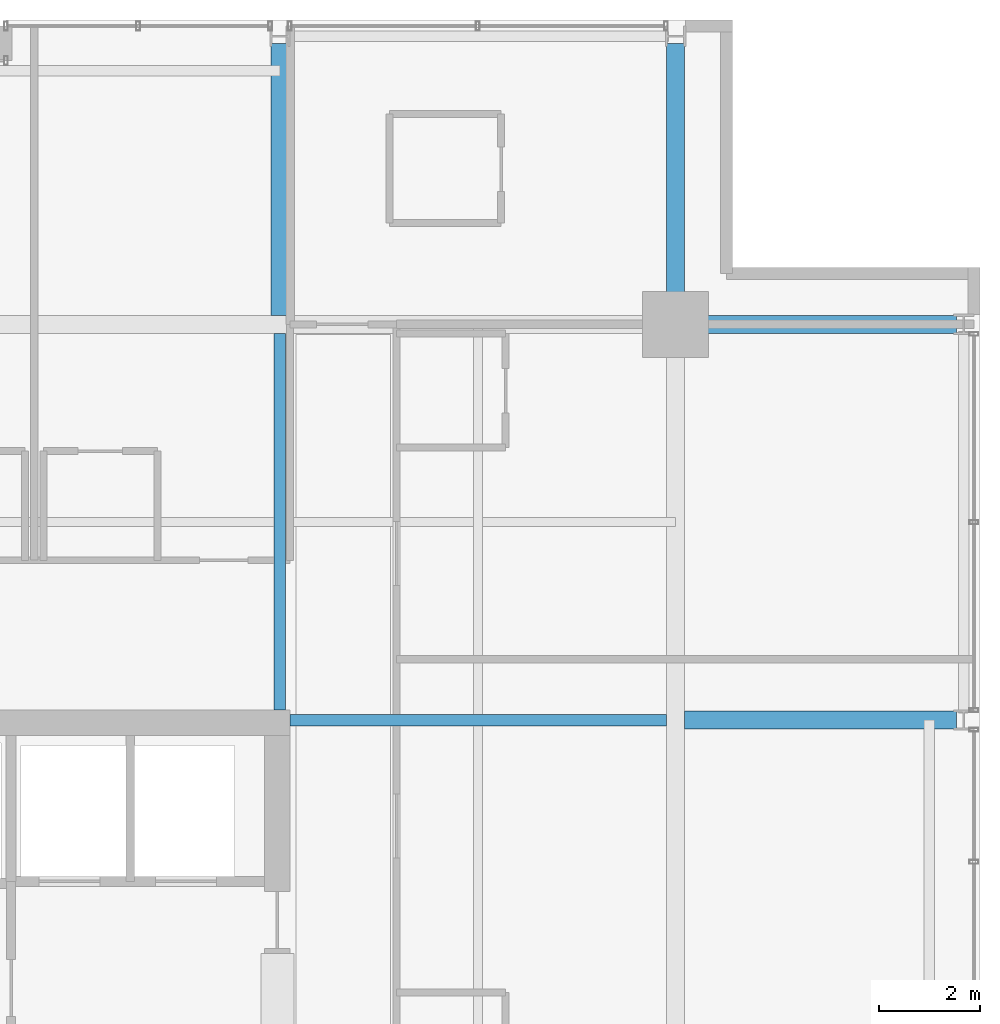
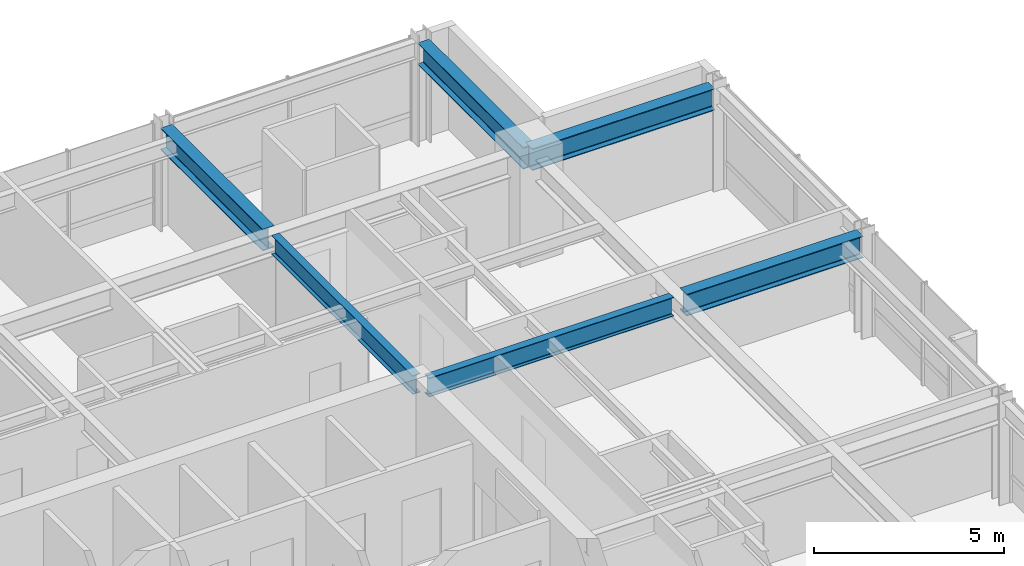
# One storey, part 21 of 31: 6 beams.
"""IFC4 building model written with IfcOpenShell, lengths in metres."""

from ifc_helpers import new_model, si_unit, direction, frame, origin, origin_2d, place, context, subcontext, project, spatial, i_section, extrude, material, material_profile, profile_set, type_object, element, save


model = new_model("IFC4")

# Units and contexts
model_context = context("Model", 3, precision=1e-05, world=origin(), true_north=direction((0.0, 1.0)))
body_context = subcontext(model_context, "Body", "Model", "MODEL_VIEW")
ifc_project = project(units=[si_unit("LENGTHUNIT", "METRE"), si_unit("AREAUNIT", "SQUARE_METRE"), si_unit("VOLUMEUNIT", "CUBIC_METRE"), si_unit("PLANEANGLEUNIT", "RADIAN"), si_unit("MASSUNIT", "GRAM", prefix="KILO")], contexts=[model_context])

# Site, building, storey
site_placement = place(None, origin())
site = spatial("IfcSite", under=ifc_project, at=site_placement, CompositionType="ELEMENT")
building_placement = place(site_placement, origin())
building = spatial("IfcBuilding", under=site, at=building_placement, Name="Drelvath Grand Hotel", CompositionType="ELEMENT")
storey_placement = place(building_placement, frame((0.0, 0.0, 185.89990234375)))
storey = spatial("IfcBuildingStorey", under=building, at=storey_placement, Name="L48", CompositionType="ELEMENT", Elevation=185.89990234375)

# Beams
ifc_material = material(Name="Steel ASTM A992 Gr 50", Category="steel")
ifc_material_profile_1 = material_profile(ifc_material, i_section(OverallWidth=0.228271484375, OverallDepth=0.607666015625, WebThickness=0.01123046875, FlangeThickness=0.017333984375, FilletRadius=0.02001953125, at=origin_2d()), Name="W24X76")
ifc_profile_set_1 = profile_set([ifc_material_profile_1], Name="Steel ASTM A992 Gr 50")
beam_type_1 = type_object("IfcBeamType", Name="Primary Floor Girder W24X76", PredefinedType="BEAM", material=ifc_profile_set_1)
for number, where, z_axis, x_axis, name in (
    (1, (8.60009765625, 35.39990234375, 2.986328125), (1.0, 0.0, 0.0), (0.0, 1.0, 0.0), "L48 East Core Tie F"),
    (2, (8.39990234375, 35.60009765625, 2.986328125), (0.0, 1.0, 0.0), (-1.0, 0.0, 0.0), "L48 North Core Tie 6"),
):
    element("IfcBeam", number, at=place(storey_placement, frame(where, z_axis=z_axis, x_axis=x_axis)), inside=storey, type_object=beam_type_1, Name=name, PredefinedType="BEAM", context=body_context, shape_type="SweptSolid", body=[
        extrude(i_section(OverallWidth=0.228271484375, OverallDepth=0.607666015625, WebThickness=0.01123046875, FlangeThickness=0.017333984375, FilletRadius=0.02001953125, at=origin_2d()), origin(), (0.0, 0.0, 1.0), 7.422607421875),
    ])
ifc_material_profile_2 = material_profile(ifc_material, i_section(OverallWidth=0.354736328125, OverallDepth=0.695556640625, WebThickness=0.015380859375, FlangeThickness=0.025146484375, FilletRadius=0.02392578125, at=origin_2d()), Name="W27X146")
ifc_profile_set_2 = profile_set([ifc_material_profile_2], Name="Steel ASTM A992 Gr 50")
beam_type_2 = type_object("IfcBeamType", Name="Primary Floor Girder W27X146", PredefinedType="BEAM", material=ifc_profile_set_2)
beam_1_placement = place(storey_placement, frame((16.199951171875, 43.199951171875, 2.9423828125), z_axis=(1.0, 0.0, 0.0), x_axis=(0.0, 1.0, 0.0)))
element("IfcBeam", 3, at=beam_1_placement, inside=storey, type_object=beam_type_2, Name="L48 East Grid Girder G", PredefinedType="BEAM", context=body_context, shape_type="SweptSolid", body=[
    extrude(i_section(OverallWidth=0.354736328125, OverallDepth=0.695556640625, WebThickness=0.015380859375, FlangeThickness=0.025146484375, FilletRadius=0.02392578125, at=origin_2d()), origin(), (0.0, 0.0, 1.0), 5.5400390625),
])
beam_2_placement = place(storey_placement, frame((16.37744140625, 35.39990234375, 2.9423828125), z_axis=(1.0, 0.0, 0.0), x_axis=(0.0, 1.0, 0.0)))
element("IfcBeam", 4, at=beam_2_placement, inside=storey, type_object=beam_type_2, Name="L48 East Wing Girder F", PredefinedType="BEAM", context=body_context, shape_type="SweptSolid", body=[
    extrude(i_section(OverallWidth=0.354736328125, OverallDepth=0.695556640625, WebThickness=0.015380859375, FlangeThickness=0.025146484375, FilletRadius=0.02392578125, at=origin_2d()), origin(), (0.0, 0.0, 1.0), 5.362548828125),
])
beam_3_placement = place(storey_placement, frame((16.199951171875, 43.199951171875, 2.9423828125), z_axis=(0.0, 1.0, 0.0), x_axis=(-1.0, 0.0, 0.0)))
element("IfcBeam", 5, at=beam_3_placement, inside=storey, type_object=beam_type_2, Name="L48 North Grid Girder 7", PredefinedType="BEAM", context=body_context, shape_type="SweptSolid", body=[
    extrude(i_section(OverallWidth=0.354736328125, OverallDepth=0.695556640625, WebThickness=0.015380859375, FlangeThickness=0.025146484375, FilletRadius=0.02392578125, at=origin_2d()), origin(), (0.0, 0.0, 1.0), 5.5400390625),
])
beam_4_placement = place(storey_placement, frame((8.39990234375, 43.37744140625, 2.9423828125), z_axis=(0.0, 1.0, 0.0), x_axis=(-1.0, 0.0, 0.0)))
element("IfcBeam", 6, at=beam_4_placement, inside=storey, type_object=beam_type_2, Name="L48 North Wing Girder 6", PredefinedType="BEAM", context=body_context, shape_type="SweptSolid", body=[
    extrude(i_section(OverallWidth=0.354736328125, OverallDepth=0.695556640625, WebThickness=0.015380859375, FlangeThickness=0.025146484375, FilletRadius=0.02392578125, at=origin_2d()), origin(), (0.0, 0.0, 1.0), 5.362548828125),
])

save(model, "model.ifc")
